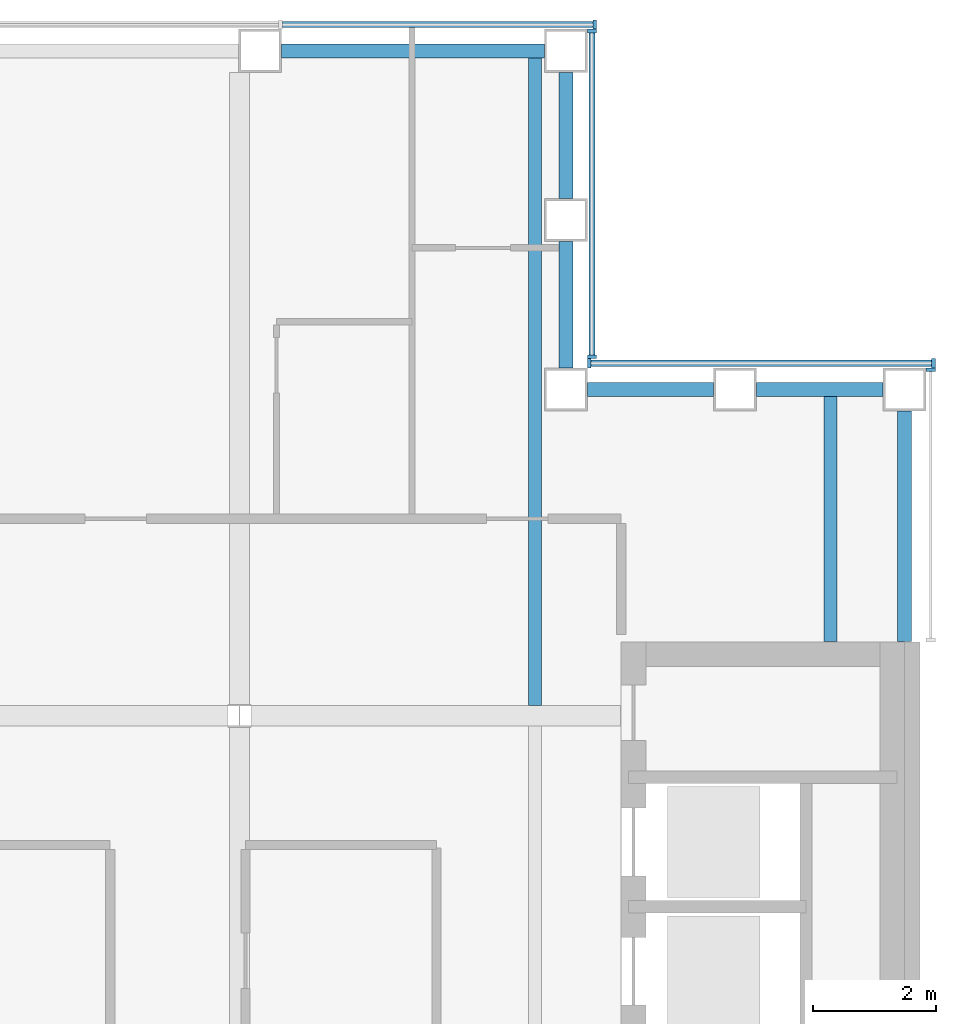
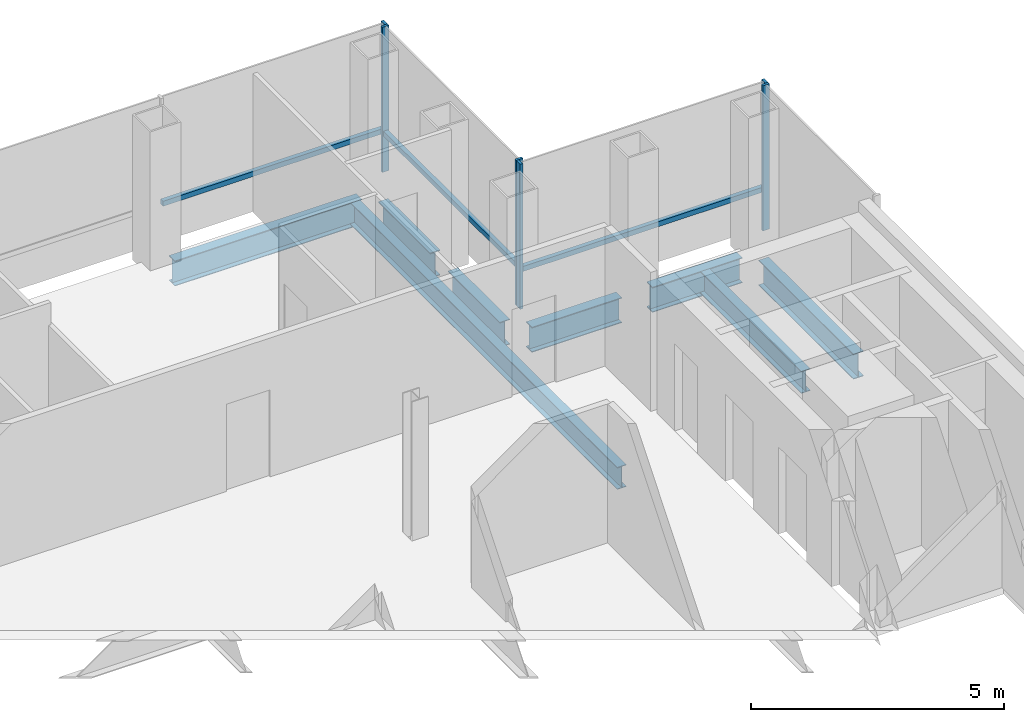
# One storey, part 8 of 15: 9 members, 8 beams, 4 elements without a shape of their own.
"""IFC4 building model written with IfcOpenShell, lengths in metres."""

from ifc_helpers import new_model, si_unit, direction, frame, origin, origin_2d, place, context, subcontext, project, spatial, rectangle, i_section, extrude, material, material_profile, profile_set, type_object, element, aggregate, save


model = new_model("IFC4")

# Units and contexts
model_context = context("Model", 3, precision=1e-05, world=origin(), true_north=direction((0.0, 1.0)))
body_context = subcontext(model_context, "Body", "Model", "MODEL_VIEW")
ifc_project = project(units=[si_unit("LENGTHUNIT", "METRE"), si_unit("AREAUNIT", "SQUARE_METRE"), si_unit("VOLUMEUNIT", "CUBIC_METRE"), si_unit("PLANEANGLEUNIT", "RADIAN"), si_unit("MASSUNIT", "GRAM", prefix="KILO")], contexts=[model_context])

# Site, building, storey
site_placement = place(None, origin())
site = spatial("IfcSite", under=ifc_project, at=site_placement, CompositionType="ELEMENT")
building_placement = place(site_placement, origin())
building = spatial("IfcBuilding", under=site, at=building_placement, Name="Cobrizo Arcos Hotel Tower", CompositionType="ELEMENT")
storey_placement = place(building_placement, frame((0.0, 0.0, 194.5)))
storey = spatial("IfcBuildingStorey", under=building, at=storey_placement, Name="L50", CompositionType="ELEMENT", Elevation=194.5)

# Curtain wall, member
ifc_material_1 = material(Name="Aluminium 6063-T6 anodised bronze", Category="aluminium")
curtain_wall_type = type_object("IfcCurtainWallType", Name="CW-A guest facade", PredefinedType="NOTDEFINED", material=ifc_material_1)
curtain_wall_1_placement = place(storey_placement, origin())
curtain_wall_1 = element("IfcCurtainWall", 1, at=curtain_wall_1_placement, inside=storey, type_object=curtain_wall_type, Name="CW-A L50 E face", PredefinedType="NOTDEFINED")
ifc_material_profile_1 = material_profile(ifc_material_1, rectangle(XDim=0.14990234375, YDim=0.06005859375, at=origin_2d()), Name="CW-A mullion 150x60")
ifc_profile_set_1 = profile_set([ifc_material_profile_1], Name="Aluminium 6063-T6 anodised bronze")
member_type_1 = type_object("IfcMemberType", Name="CW-A mullion 150x60", PredefinedType="MULLION", material=ifc_profile_set_1)
member_1_placement = place(storey_placement, frame((20.824951171875, 15.219970703125, 0.0), z_axis=(0.0, 0.0, 1.0), x_axis=(1.0, 0.0, 0.0)))
member_1 = element("IfcMember", 2, at=member_1_placement, type_object=member_type_1, Name="CW-A mullion 2", PredefinedType="MULLION", context=body_context, shape_type="SweptSolid", body=[
    extrude(rectangle(XDim=0.14990234375, YDim=0.06005859375, at=origin_2d()), origin(), (0.0, 0.0, 1.0), 3.5),
])
aggregate(curtain_wall_1, [member_1])

# Curtain wall, members
curtain_wall_2_placement = place(storey_placement, origin())
curtain_wall_2 = element("IfcCurtainWall", 3, at=curtain_wall_2_placement, inside=storey, type_object=curtain_wall_type, Name="CW-A L50 N face", PredefinedType="NOTDEFINED")
member_2_placement = place(storey_placement, frame((20.8701171875, 15.324951171875, 0.0), z_axis=(0.0, 0.0, 1.0), x_axis=(0.0, 1.0, 0.0)))
member_2 = element("IfcMember", 4, at=member_2_placement, type_object=member_type_1, Name="CW-A mullion 1", PredefinedType="MULLION", context=body_context, shape_type="SweptSolid", body=[
    extrude(rectangle(XDim=0.14990234375, YDim=0.06005859375, at=origin_2d()), origin(), (0.0, 0.0, 1.0), 3.5),
])
member_3_placement = place(storey_placement, frame((15.280029296875, 15.324951171875, 0.0), z_axis=(0.0, 0.0, 1.0), x_axis=(0.0, 1.0, 0.0)))
member_3 = element("IfcMember", 5, at=member_3_placement, type_object=member_type_1, Name="CW-A mullion 2", PredefinedType="MULLION", context=body_context, shape_type="SweptSolid", body=[
    extrude(rectangle(XDim=0.14990234375, YDim=0.06005859375, at=origin_2d()), origin(), (0.0, 0.0, 1.0), 3.5),
])

curtain_wall_3_placement = place(storey_placement, origin())
curtain_wall_3 = element("IfcCurtainWall", 6, at=curtain_wall_3_placement, inside=storey, type_object=curtain_wall_type, Name="CW-A L50 E face", PredefinedType="NOTDEFINED")
member_4_placement = place(storey_placement, frame((15.324951171875, 15.429931640625, 0.0), z_axis=(0.0, 0.0, 1.0), x_axis=(1.0, 0.0, 0.0)))
member_4 = element("IfcMember", 7, at=member_4_placement, type_object=member_type_1, Name="CW-A mullion 1", PredefinedType="MULLION", context=body_context, shape_type="SweptSolid", body=[
    extrude(rectangle(XDim=0.14990234375, YDim=0.06005859375, at=origin_2d()), origin(), (0.0, 0.0, 1.0), 3.5),
])
member_5_placement = place(storey_placement, frame((15.324951171875, 20.719970703125, 0.0), z_axis=(0.0, 0.0, 1.0), x_axis=(1.0, 0.0, 0.0)))
member_5 = element("IfcMember", 8, at=member_5_placement, type_object=member_type_1, Name="CW-A mullion 2", PredefinedType="MULLION", context=body_context, shape_type="SweptSolid", body=[
    extrude(rectangle(XDim=0.14990234375, YDim=0.06005859375, at=origin_2d()), origin(), (0.0, 0.0, 1.0), 3.5),
])

# Curtain wall, member
curtain_wall_4_placement = place(storey_placement, origin())
curtain_wall_4 = element("IfcCurtainWall", 9, at=curtain_wall_4_placement, inside=storey, type_object=curtain_wall_type, Name="CW-A L50 N face", PredefinedType="NOTDEFINED")
member_6_placement = place(storey_placement, frame((15.3701171875, 20.824951171875, 0.0), z_axis=(0.0, 0.0, 1.0), x_axis=(0.0, 1.0, 0.0)))
member_6 = element("IfcMember", 10, at=member_6_placement, type_object=member_type_1, Name="CW-A mullion 1", PredefinedType="MULLION", context=body_context, shape_type="SweptSolid", body=[
    extrude(rectangle(XDim=0.14990234375, YDim=0.06005859375, at=origin_2d()), origin(), (0.0, 0.0, 1.0), 3.5),
])

# Member
ifc_material_profile_2 = material_profile(ifc_material_1, rectangle(XDim=0.10009765625, YDim=0.1201171875, at=origin_2d()), Name="CW-A transom 120x100")
ifc_profile_set_2 = profile_set([ifc_material_profile_2], Name="Aluminium 6063-T6 anodised bronze")
member_type_2 = type_object("IfcMemberType", Name="CW-A transom 120x100", PredefinedType="USERDEFINED", material=ifc_profile_set_2)
member_7_placement = place(storey_placement, frame((20.840087890625, 15.324951171875, 0.929931640625), z_axis=(-1.0, 0.0, 0.0), x_axis=(0.0, -1.0, 0.0)))
member_7 = element("IfcMember", 11, at=member_7_placement, type_object=member_type_2, Name="CW-A transom 1730", ObjectType="TRANSOM", PredefinedType="USERDEFINED", context=body_context, shape_type="SweptSolid", body=[
    extrude(rectangle(XDim=0.10009765625, YDim=0.1201171875, at=origin_2d()), origin(), (0.0, 0.0, 1.0), 5.530029296875),
])

aggregate(curtain_wall_2, [member_2, member_3, member_7])

member_8_placement = place(storey_placement, frame((15.324951171875, 15.4599609375, 0.929931640625), z_axis=(0.0, 1.0, 0.0), x_axis=(-1.0, 0.0, 0.0)))
member_8 = element("IfcMember", 12, at=member_8_placement, type_object=member_type_2, Name="CW-A transom 1731", ObjectType="TRANSOM", PredefinedType="USERDEFINED", context=body_context, shape_type="SweptSolid", body=[
    extrude(rectangle(XDim=0.10009765625, YDim=0.1201171875, at=origin_2d()), origin(), (0.0, 0.0, 1.0), 5.22998046875),
])

aggregate(curtain_wall_3, [member_4, member_5, member_8])

member_9_placement = place(storey_placement, frame((15.340087890625, 20.824951171875, 0.929931640625), z_axis=(-1.0, 0.0, 0.0), x_axis=(0.0, -1.0, 0.0)))
member_9 = element("IfcMember", 13, at=member_9_placement, type_object=member_type_2, Name="CW-A transom 1732", ObjectType="TRANSOM", PredefinedType="USERDEFINED", context=body_context, shape_type="SweptSolid", body=[
    extrude(rectangle(XDim=0.10009765625, YDim=0.1201171875, at=origin_2d()), origin(), (0.0, 0.0, 1.0), 5.04345703125),
])

aggregate(curtain_wall_4, [member_6, member_9])

# Beams
ifc_material_2 = material(Name="Steel ASTM A992 Grade 50", Category="steel")
ifc_material_profile_3 = material_profile(ifc_material_2, i_section(OverallWidth=0.209228515625, OverallDepth=0.533447265625, WebThickness=0.01025390625, FlangeThickness=0.015625, at=origin_2d()), Name="W21X62")
ifc_profile_set_3 = profile_set([ifc_material_profile_3], Name="Steel ASTM A992 Grade 50")
beam_type_1 = type_object("IfcBeamType", Name="W21X62 joist", PredefinedType="JOIST", material=ifc_profile_set_3)
beam_1_placement = place(storey_placement, frame((14.39990234375, 9.763916015625, -0.416748046875), z_axis=(0.0, 1.0, 0.0), x_axis=(-1.0, 0.0, 0.0)))
element("IfcBeam", 14, at=beam_1_placement, inside=storey, type_object=beam_type_1, Name="Floor joist J1, L50, no. 018", PredefinedType="JOIST", context=body_context, shape_type="SweptSolid", body=[
    extrude(i_section(OverallWidth=0.209228515625, OverallDepth=0.533447265625, WebThickness=0.01025390625, FlangeThickness=0.015625, at=origin_2d()), origin(), (0.0, 0.0, 1.0), 10.546142578125),
])
beam_2_placement = place(storey_placement, frame((19.199951171875, 10.81005859375, -0.416748046875), z_axis=(0.0, 1.0, 0.0), x_axis=(-1.0, 0.0, 0.0)))
element("IfcBeam", 15, at=beam_2_placement, inside=storey, type_object=beam_type_1, Name="Floor joist J1, L50, no. 020", PredefinedType="JOIST", context=body_context, shape_type="SweptSolid", body=[
    extrude(i_section(OverallWidth=0.209228515625, OverallDepth=0.533447265625, WebThickness=0.01025390625, FlangeThickness=0.015625, at=origin_2d()), origin(), (0.0, 0.0, 1.0), 4.0),
])
ifc_material_profile_4 = material_profile(ifc_material_2, i_section(OverallWidth=0.228271484375, OverallDepth=0.607177734375, WebThickness=0.01123046875, FlangeThickness=0.017333984375, at=origin_2d()), Name="W24X76")
ifc_profile_set_4 = profile_set([ifc_material_profile_4], Name="Steel ASTM A992 Grade 50")
beam_type_2 = type_object("IfcBeamType", Name="W24X76 spandrel", PredefinedType="SPANDREL", material=ifc_profile_set_4)
beam_3_placement = place(storey_placement, frame((20.39990234375, 10.81005859375, -0.45361328125), z_axis=(0.0, 1.0, 0.0), x_axis=(-1.0, 0.0, 0.0)))
element("IfcBeam", 16, at=beam_3_placement, inside=storey, type_object=beam_type_2, Name="Spandrel beam W24X76, L50, no. 012", PredefinedType="SPANDREL", context=body_context, shape_type="SweptSolid", body=[
    extrude(i_section(OverallWidth=0.228271484375, OverallDepth=0.607177734375, WebThickness=0.01123046875, FlangeThickness=0.017333984375, at=origin_2d()), origin(), (0.0, 0.0, 1.0), 3.739990234375),
])
for number, where, z_axis, x_axis, name in (
    (17, (20.050048828125, 14.89990234375, -0.45361328125), (-1.0, 0.0, 0.0), (0.0, -1.0, 0.0), "Spandrel beam W24X76, L50, no. 013"),
    (18, (17.300048828125, 14.89990234375, -0.45361328125), (-1.0, 0.0, 0.0), (0.0, -1.0, 0.0), "Spandrel beam W24X76, L50, no. 014"),
    (19, (14.89990234375, 15.25, -0.45361328125), (0.0, 1.0, 0.0), (-1.0, 0.0, 0.0), "Spandrel beam W24X76, L50, no. 015"),
    (20, (14.89990234375, 18.0, -0.45361328125), (0.0, 1.0, 0.0), (-1.0, 0.0, 0.0), "Spandrel beam W24X76, L50, no. 016"),
):
    element("IfcBeam", number, at=place(storey_placement, frame(where, z_axis=z_axis, x_axis=x_axis)), inside=storey, type_object=beam_type_2, Name=name, PredefinedType="SPANDREL", context=body_context, shape_type="SweptSolid", body=[
        extrude(i_section(OverallWidth=0.228271484375, OverallDepth=0.607177734375, WebThickness=0.01123046875, FlangeThickness=0.017333984375, at=origin_2d()), origin(), (0.0, 0.0, 1.0), 2.050048828125),
    ])
beam_4_placement = place(storey_placement, frame((14.550048828125, 20.39990234375, -0.45361328125), z_axis=(-1.0, 0.0, 0.0), x_axis=(0.0, -1.0, 0.0)))
element("IfcBeam", 21, at=beam_4_placement, inside=storey, type_object=beam_type_2, Name="Spandrel beam W24X76, L50, no. 017", PredefinedType="SPANDREL", context=body_context, shape_type="SweptSolid", body=[
    extrude(i_section(OverallWidth=0.228271484375, OverallDepth=0.607177734375, WebThickness=0.01123046875, FlangeThickness=0.017333984375, at=origin_2d()), origin(), (0.0, 0.0, 1.0), 4.26708984375),
])

save(model, "model.ifc")
